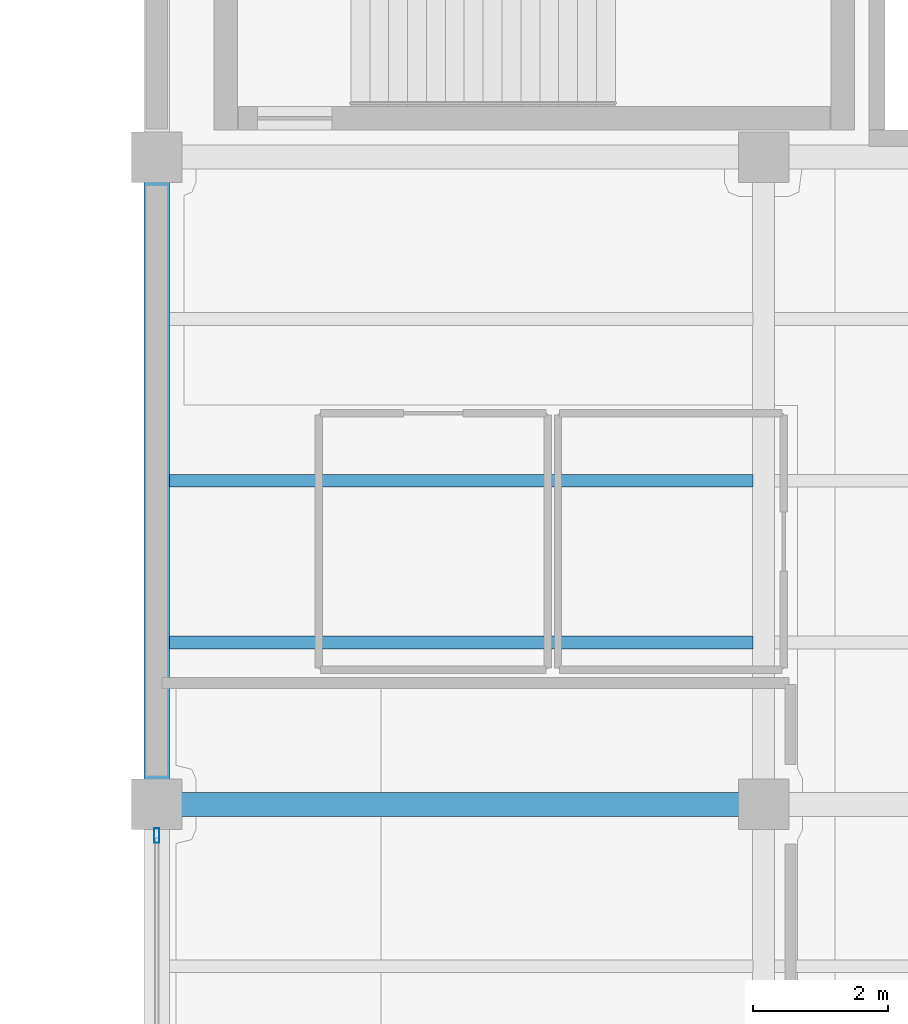
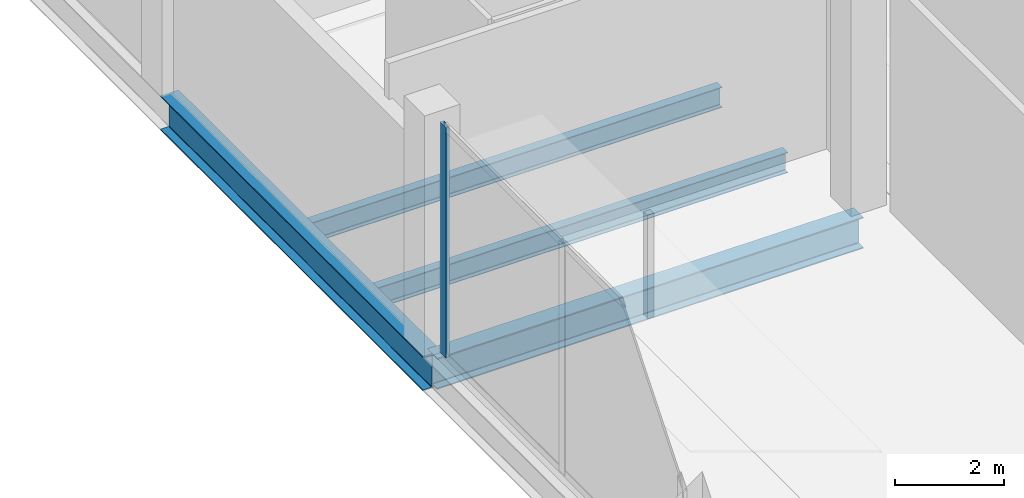
# One storey, part 13 of 47: 4 beams, 1 member, 1 element without a shape of its own.
"""IFC4 building model written with IfcOpenShell, lengths in metres."""

from ifc_helpers import new_model, si_unit, direction, frame, origin, origin_2d, place, context, subcontext, project, spatial, hollow_rectangle, i_section, extrude, material, layer, layer_set, material_profile, profile_set, type_object, element, aggregate, save


model = new_model("IFC4")

# Units and contexts
model_context = context("Model", 3, precision=1e-05, world=origin(), true_north=direction((0.0, 1.0)))
body_context = subcontext(model_context, "Body", "Model", "MODEL_VIEW")
ifc_project = project(units=[si_unit("LENGTHUNIT", "METRE"), si_unit("AREAUNIT", "SQUARE_METRE"), si_unit("VOLUMEUNIT", "CUBIC_METRE"), si_unit("PLANEANGLEUNIT", "RADIAN"), si_unit("MASSUNIT", "GRAM", prefix="KILO")], contexts=[model_context])

# Site, building, storey
site_placement = place(None, origin())
site = spatial("IfcSite", under=ifc_project, at=site_placement, CompositionType="ELEMENT")
building_placement = place(site_placement, origin())
building = spatial("IfcBuilding", under=site, at=building_placement, Name="Qorvath Tower", CompositionType="ELEMENT")
storey_placement = place(building_placement, frame((0.0, 0.0, 6.60009765625)))
storey = spatial("IfcBuildingStorey", under=building, at=storey_placement, Name="L01", CompositionType="ELEMENT", Elevation=6.60009765625)

# Beams
ifc_material_1 = material(Name="Steel ASTM A992 Grade 50", Category="steel")
ifc_material_profile_1 = material_profile(ifc_material_1, i_section(OverallWidth=0.381103515625, OverallDepth=0.77294921875, WebThickness=0.0166015625, FlangeThickness=0.027099609375, FilletRadius=0.01904296875, at=origin_2d()), Name="W30x173")
ifc_profile_set_1 = profile_set([ifc_material_profile_1], Name="Steel ASTM A992 Grade 50")
beam_type_1 = type_object("IfcBeamType", Name="BM-FG3", PredefinedType="BEAM", material=ifc_profile_set_1)
beam_1_placement = place(storey_placement, frame((32.39990234375, 19.199951171875, -0.646484375), z_axis=(0.0, 1.0, 0.0), x_axis=(-1.0, 0.0, 0.0)))
element("IfcBeam", 1, at=beam_1_placement, inside=storey, type_object=beam_type_1, Name="Library N-S Girder L01-1-7", PredefinedType="BEAM", context=body_context, shape_type="SweptSolid", body=[
    extrude(i_section(OverallWidth=0.381103515625, OverallDepth=0.77294921875, WebThickness=0.0166015625, FlangeThickness=0.027099609375, FilletRadius=0.01904296875, at=origin_2d()), origin(), (0.0, 0.0, 1.0), 9.60009765625),
])
ifc_material_2 = material(Name="Steel ASTM A992 Grade 50", Category="steel")
ifc_material_profile_2 = material_profile(ifc_material_2, i_section(OverallWidth=0.35595703125, OverallDepth=0.696044921875, WebThickness=0.015380859375, FlangeThickness=0.02490234375, FilletRadius=0.01806640625, at=origin_2d()), Name="W27x146")
ifc_profile_set_2 = profile_set([ifc_material_profile_2], Name="Steel ASTM A992 Grade 50")
beam_type_2 = type_object("IfcBeamType", Name="BM-FG4", PredefinedType="BEAM", material=ifc_profile_set_2)
beam_2_placement = place(storey_placement, frame((32.39990234375, 19.199951171875, -0.60791015625), z_axis=(1.0, 0.0, 0.0), x_axis=(0.0, 1.0, 0.0)))
element("IfcBeam", 2, at=beam_2_placement, inside=storey, type_object=beam_type_2, Name="Library E-W Girder L01-7-1", PredefinedType="BEAM", context=body_context, shape_type="SweptSolid", body=[
    extrude(i_section(OverallWidth=0.35595703125, OverallDepth=0.696044921875, WebThickness=0.015380859375, FlangeThickness=0.02490234375, FilletRadius=0.01806640625, at=origin_2d()), origin(), (0.0, 0.0, 1.0), 9.0),
])
ifc_material_3 = material(Name="Steel ASTM A992 Grade 50", Category="steel")
ifc_material_profile_3 = material_profile(ifc_material_3, i_section(OverallWidth=0.18994140625, OverallDepth=0.45703125, WebThickness=0.009033203125, FlangeThickness=0.014404296875, FilletRadius=0.011962890625, at=origin_2d()), Name="W18x50")
ifc_profile_set_3 = profile_set([ifc_material_profile_3], Name="Steel ASTM A992 Grade 50")
beam_type_3 = type_object("IfcBeamType", Name="BM-FJ2", PredefinedType="JOIST", material=ifc_profile_set_3)
for number, where, z_axis, x_axis, name in (
    (3, (32.58837890625, 21.60009765625, -0.488525390625), (1.0, 0.0, 0.0), (0.0, 1.0, 0.0), "Library Stack Joist L01-7.1-1"),
    (4, (32.58837890625, 24.0, -0.488525390625), (1.0, 0.0, 0.0), (0.0, 1.0, 0.0), "Library Stack Joist L01-7.2-1"),
):
    element("IfcBeam", number, at=place(storey_placement, frame(where, z_axis=z_axis, x_axis=x_axis)), inside=storey, type_object=beam_type_3, Name=name, PredefinedType="JOIST", context=body_context, shape_type="SweptSolid", body=[
        extrude(i_section(OverallWidth=0.18994140625, OverallDepth=0.45703125, WebThickness=0.009033203125, FlangeThickness=0.014404296875, FilletRadius=0.011962890625, at=origin_2d()), origin(), (0.0, 0.0, 1.0), 8.651123046875),
    ])

# Curtain wall, member
ifc_material_4 = material(Name="Anodised aluminium and triple low-E glass", Category="aluminium")
ifc_layer = layer(ifc_material_4, 0.179931640625)
ifc_layer_set = layer_set([ifc_layer], Name="CW-SYS-6")
curtain_wall_type = type_object("IfcCurtainWallType", Name="CW-SYS-6", PredefinedType="NOTDEFINED", material=ifc_layer_set)
curtain_wall_placement = place(storey_placement, origin())
curtain_wall = element("IfcCurtainWall", 5, at=curtain_wall_placement, inside=storey, type_object=curtain_wall_type, Name="Curtain Wall CW-6 CW-LIB-W-L01-6", PredefinedType="NOTDEFINED")
ifc_material_5 = material(Name="Anodised aluminium 6063-T6", Category="aluminium")
ifc_material_profile_4 = material_profile(ifc_material_5, hollow_rectangle(XDim=0.080078125, YDim=0.219970703125, WallThickness=0.00439453125, InnerFilletRadius=0.00439453125, OuterFilletRadius=0.009033203125, at=origin_2d()), Name="CWM LIB 220x80")
ifc_profile_set_4 = profile_set([ifc_material_profile_4], Name="Anodised aluminium 6063-T6")
member_type = type_object("IfcMemberType", Name="CWM-LIB", PredefinedType="MULLION", material=ifc_profile_set_4)
member_placement = place(storey_placement, frame((32.39990234375, 18.739990234375, 0.0), z_axis=(0.0, 0.0, 1.0), x_axis=(-1.0, 0.0, 0.0)))
member = element("IfcMember", 6, at=member_placement, type_object=member_type, Name="CW-6 mullion 3", PredefinedType="MULLION", context=body_context, shape_type="SweptSolid", body=[
    extrude(hollow_rectangle(XDim=0.080078125, YDim=0.219970703125, WallThickness=0.00439453125, InnerFilletRadius=0.00439453125, OuterFilletRadius=0.009033203125, at=origin_2d()), origin(), (0.0, 0.0, 1.0), 5.139892578125),
])
aggregate(curtain_wall, [member])

save(model, "model.ifc")
